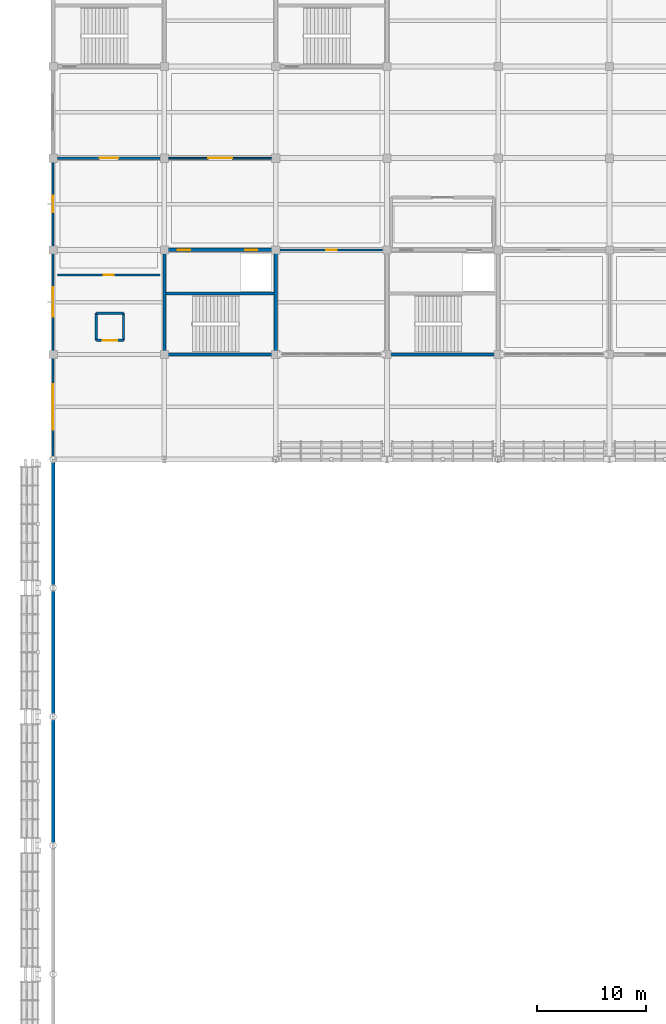
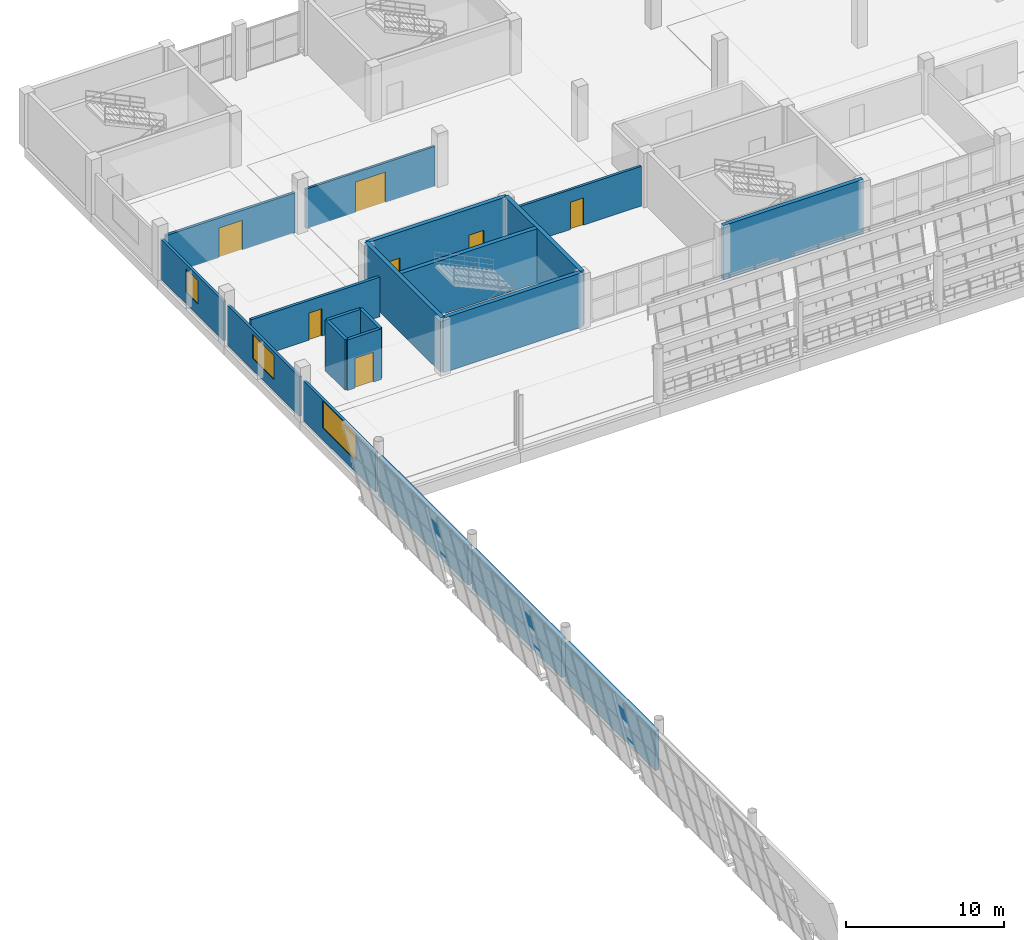
# One storey, part 126 of 157: 20 walls, 7 doors, 3 windows, 10 openings.
"""IFC4 building model written with IfcOpenShell, lengths in metres."""

from ifc_helpers import new_model, si_unit, direction, frame, frame_2d, origin, place, context, subcontext, project, spatial, rectangle, extrude, material, layer, layer_set, type_object, element, fill, save


model = new_model("IFC4")

# Units and contexts
model_context = context("Model", 3, precision=1e-05, world=origin(), true_north=direction((0.0, 1.0)))
body_context = subcontext(model_context, "Body", "Model", "MODEL_VIEW")
ifc_project = project(units=[si_unit("LENGTHUNIT", "METRE"), si_unit("AREAUNIT", "SQUARE_METRE"), si_unit("VOLUMEUNIT", "CUBIC_METRE"), si_unit("PLANEANGLEUNIT", "RADIAN"), si_unit("MASSUNIT", "GRAM", prefix="KILO")], contexts=[model_context])

# Site, building, storey
site_placement = place(None, origin())
site = spatial("IfcSite", under=ifc_project, at=site_placement, CompositionType="ELEMENT")
building_placement = place(site_placement, origin())
building = spatial("IfcBuilding", under=site, at=building_placement, Name="Brelvane Convention Centre", CompositionType="ELEMENT")
storey_placement = place(building_placement, frame((0.0, 0.0, 10.800048828125)))
storey = spatial("IfcBuildingStorey", under=building, at=storey_placement, Name="L02", CompositionType="ELEMENT", Elevation=10.800048828125)

# Wall, opening, window
ifc_material_1 = material(Name="Insulated Autoclaved Aerated Concrete Block Grade 1", Category="concrete")
ifc_layer_1 = layer(ifc_material_1, 0.18994140625)
ifc_layer_set_1 = layer_set([ifc_layer_1], Name="Insulated Autoclaved Aerated Concrete Block Grade 1")
wall_type_1 = type_object("IfcWallType", Name="Exterior Wall EW-06", PredefinedType="STANDARD", material=ifc_layer_set_1)
wall_1_placement = place(storey_placement, frame((0.0, 99.840087890625, 0.0), z_axis=(0.0, 0.0, 1.0), x_axis=(0.0, 1.0, 0.0)))
wall_1 = element("IfcWall", 1, at=wall_1_placement, inside=storey, type_object=wall_type_1, Name="Exterior Wall L02 V4W-L02-99", PredefinedType="STANDARD", context=body_context, shape_type="SweptSolid", body=[
    extrude(rectangle(XDim=9.119873046875, YDim=0.18994140625, at=frame_2d((4.56005859375, 0.0))), origin(), (0.0, 0.0, 1.0), 3.06005859375),
])
opening_1_placement = place(wall_1_placement, frame((2.4599609375, 0.0, 0.89990234375)))
opening_1 = element("IfcOpeningElement", 2, at=opening_1_placement, cuts=wall_1, Name="Opening WN-07", PredefinedType="OPENING", context=body_context, shape_type="SweptSolid", body=[
    extrude(rectangle(XDim=4.199951171875, YDim=2.10009765625, at=frame_2d((2.10009765625, 1.050048828125))), frame((0.0, 0.10498046875, 0.0), z_axis=(0.0, -1.0, 0.0), x_axis=(1.0, 0.0, 0.0)), (0.0, 0.0, 1.0), 0.2099609375),
])
ifc_material_2 = material(Name="Double Glazed Low-E Laminated Unit")
window_type_1 = type_object("IfcWindowType", Name="Window WN-07", PartitioningType="TRIPLE_PANEL_VERTICAL", PredefinedType="WINDOW", material=ifc_material_2)
window_1_placement = place(opening_1_placement, origin())
window_1 = element("IfcWindow", 3, at=window_1_placement, inside=storey, type_object=window_type_1, Name="Facade Window L02-V4W-L02-99-072", OverallHeight=2.10009765625, OverallWidth=4.199951171875, PartitioningType="TRIPLE_PANEL_VERTICAL", PredefinedType="WINDOW", context=body_context, shape_type="SweptSolid", body=[
    extrude(rectangle(XDim=4.199951171875, YDim=2.10009765625, at=frame_2d((2.10009765625, 1.050048828125))), frame((0.0, 0.030029296875, 0.0), z_axis=(0.0, -1.0, 0.0), x_axis=(1.0, 0.0, 0.0)), (0.0, 0.0, 1.0), 0.06005859375),
])
fill(opening_1, window_1)

wall_2_placement = place(storey_placement, frame((0.0, 109.43994140625, 0.0), z_axis=(0.0, 0.0, 1.0), x_axis=(0.0, 1.0, 0.0)))
wall_2 = element("IfcWall", 4, at=wall_2_placement, inside=storey, type_object=wall_type_1, Name="Exterior Wall L02 V4W-L02-109", PredefinedType="STANDARD", context=body_context, shape_type="SweptSolid", body=[
    extrude(rectangle(XDim=9.1201171875, YDim=0.18994140625, at=frame_2d((4.56005859375, 0.0))), origin(), (0.0, 0.0, 1.0), 3.06005859375),
])
opening_2_placement = place(wall_2_placement, frame((3.2099609375, 0.0, 0.89990234375)))
opening_2 = element("IfcOpeningElement", 5, at=opening_2_placement, cuts=wall_2, Name="Opening WN-06", PredefinedType="OPENING", context=body_context, shape_type="SweptSolid", body=[
    extrude(rectangle(XDim=2.699951171875, YDim=1.85009765625, at=frame_2d((1.35009765625, 0.925048828125))), frame((0.0, 0.10498046875, 0.0), z_axis=(0.0, -1.0, 0.0), x_axis=(1.0, 0.0, 0.0)), (0.0, 0.0, 1.0), 0.2099609375),
])
ifc_material_3 = material(Name="Double Glazed Low-E Laminated Unit")
window_type_2 = type_object("IfcWindowType", Name="Window WN-06", PartitioningType="TRIPLE_PANEL_VERTICAL", PredefinedType="WINDOW", material=ifc_material_3)
window_2_placement = place(opening_2_placement, origin())
window_2 = element("IfcWindow", 6, at=window_2_placement, inside=storey, type_object=window_type_2, Name="Facade Window L02-V4W-L02-109-073", OverallHeight=1.85009765625, OverallWidth=2.699951171875, PartitioningType="TRIPLE_PANEL_VERTICAL", PredefinedType="WINDOW", context=body_context, shape_type="SweptSolid", body=[
    extrude(rectangle(XDim=2.699951171875, YDim=1.85009765625, at=frame_2d((1.35009765625, 0.925048828125))), frame((0.0, 0.030029296875, 0.0), z_axis=(0.0, -1.0, 0.0), x_axis=(1.0, 0.0, 0.0)), (0.0, 0.0, 1.0), 0.06005859375),
])
fill(opening_2, window_2)

wall_3_placement = place(storey_placement, frame((0.0, 119.0400390625, 0.0), z_axis=(0.0, 0.0, 1.0), x_axis=(0.0, 1.0, 0.0)))
wall_3 = element("IfcWall", 7, at=wall_3_placement, inside=storey, type_object=wall_type_1, Name="Exterior Wall L02 V4W-L02-118", PredefinedType="STANDARD", context=body_context, shape_type="SweptSolid", body=[
    extrude(rectangle(XDim=7.919921875, YDim=0.18994140625, at=frame_2d((3.9599609375, 0.0))), origin(), (0.0, 0.0, 1.0), 3.06005859375),
])
opening_3_placement = place(wall_3_placement, frame((3.2099609375, 0.0, 0.89990234375)))
opening_3 = element("IfcOpeningElement", 8, at=opening_3_placement, cuts=wall_3, Name="Opening WN-08", PredefinedType="OPENING", context=body_context, shape_type="SweptSolid", body=[
    extrude(rectangle(XDim=1.5, YDim=1.800048828125, at=frame_2d((0.75, 0.89990234375))), frame((0.0, 0.10498046875, 0.0), z_axis=(0.0, -1.0, 0.0), x_axis=(1.0, 0.0, 0.0)), (0.0, 0.0, 1.0), 0.2099609375),
])
ifc_material_4 = material(Name="Double Glazed Low-E Laminated Unit")
window_type_3 = type_object("IfcWindowType", Name="Window WN-08", PartitioningType="SINGLE_PANEL", PredefinedType="WINDOW", material=ifc_material_4)
window_3_placement = place(opening_3_placement, origin())
window_3 = element("IfcWindow", 9, at=window_3_placement, inside=storey, type_object=window_type_3, Name="Facade Window L02-V4W-L02-118-074", OverallHeight=1.800048828125, OverallWidth=1.5, PartitioningType="SINGLE_PANEL", PredefinedType="WINDOW", context=body_context, shape_type="SweptSolid", body=[
    extrude(rectangle(XDim=1.5, YDim=1.800048828125, at=frame_2d((0.75, 0.89990234375))), frame((0.0, 0.030029296875, 0.0), z_axis=(0.0, -1.0, 0.0), x_axis=(1.0, 0.0, 0.0)), (0.0, 0.0, 1.0), 0.06005859375),
])
fill(opening_3, window_3)

# Walls
ifc_material_5 = material(Name="Concrete M40", Category="concrete")
ifc_layer_2 = layer(ifc_material_5, 0.2900390625)
ifc_layer_set_2 = layer_set([ifc_layer_2], Name="Concrete M40")
wall_type_2 = type_object("IfcWallType", Name="Exterior Wall EW-08", PredefinedType="SOLIDWALL", material=ifc_layer_set_2)
for number, where, z_axis, x_axis, name in (
    (10, (0.0, 64.43994140625, 0.0), (0.0, 0.0, 1.0), (0.0, 1.0, 0.0), "Exterior Wall L02 V1W-L02-4"),
    (11, (0.0, 76.239990234375, 0.0), (0.0, 0.0, 1.0), (0.0, 1.0, 0.0), "Exterior Wall L02 V1W-L02-5"),
    (12, (0.0, 88.0400390625, 0.0), (0.0, 0.0, 1.0), (0.0, 1.0, 0.0), "Exterior Wall L02 V1W-L02-6"),
):
    element("IfcWall", number, at=place(storey_placement, frame(where, z_axis=z_axis, x_axis=x_axis)), inside=storey, type_object=wall_type_2, Name=name, PredefinedType="SOLIDWALL", context=body_context, shape_type="SweptSolid", body=[
        extrude(rectangle(XDim=11.320068359375, YDim=0.2900390625, at=frame_2d((5.66015625, 0.0))), origin(), (0.0, 0.0, 1.0), 3.06005859375),
    ])

# Wall, opening, door
ifc_material_6 = material(Name="Fire-Rated Acoustic Gypsum Partition Board Grade A")
ifc_layer_3 = layer(ifc_material_6, 0.18505859375)
ifc_layer_set_3 = layer_set([ifc_layer_3], Name="Fire-Rated Acoustic Gypsum Partition Board Grade A")
wall_type_3 = type_object("IfcWallType", Name="Interior Wall IW-AC-185", PredefinedType="PARTITIONING", material=ifc_layer_set_3)
wall_4_placement = place(storey_placement, frame((20.800048828125, 118.800048828125, 0.0), z_axis=(0.0, 0.0, 1.0), x_axis=(1.0, 0.0, 0.0)))
wall_4 = element("IfcWall", 13, at=wall_4_placement, inside=storey, type_object=wall_type_3, Name="Interior Partition L02-MT302", PredefinedType="PARTITIONING", context=body_context, shape_type="SweptSolid", body=[
    extrude(rectangle(XDim=9.39990234375, YDim=0.18505859375, at=frame_2d((4.699951171875, 0.0))), origin(), (0.0, 0.0, 1.0), 3.06005859375),
])
opening_4_placement = place(wall_4_placement, frame((4.219970703125, 0.0, 0.0)))
opening_4 = element("IfcOpeningElement", 14, at=opening_4_placement, cuts=wall_4, Name="Opening DR-IN-03R", PredefinedType="OPENING", context=body_context, shape_type="SweptSolid", body=[
    extrude(rectangle(XDim=0.9599609375, YDim=2.10009765625, at=frame_2d((0.47998046875, 1.050048828125))), frame((0.0, 0.1025390625, 0.0), z_axis=(0.0, -1.0, 0.0), x_axis=(1.0, 0.0, 0.0)), (0.0, 0.0, 1.0), 0.205078125),
])
ifc_material_7 = material(Name="Solid-Core Fire-Rated Hardwood Leaf Grade 1", Category="wood")
door_type_1 = type_object("IfcDoorType", Name="Interior Door DR-IN-03R", OperationType="NOTDEFINED", PredefinedType="DOOR", material=ifc_material_7)
door_1_placement = place(opening_4_placement, origin())
door_1 = element("IfcDoor", 15, at=door_1_placement, inside=storey, type_object=door_type_1, Name="Interior Door L02-MT302 (DR-IN-03R)", OperationType="SINGLE_SWING_RIGHT", OverallHeight=2.10009765625, OverallWidth=0.9599609375, PredefinedType="DOOR", context=body_context, shape_type="SweptSolid", body=[
    extrude(rectangle(XDim=0.9599609375, YDim=2.10009765625, at=frame_2d((0.47998046875, 1.050048828125))), frame((0.0, 0.02490234375, 0.0), z_axis=(0.0, -1.0, 0.0), x_axis=(1.0, 0.0, 0.0)), (0.0, 0.0, 1.0), 0.050048828125),
])
fill(opening_4, door_1)

ifc_material_8 = material(Name="Fire-Rated Acoustic Gypsum Partition Board Grade A")
ifc_layer_4 = layer(ifc_material_8, 0.199951171875)
ifc_layer_set_4 = layer_set([ifc_layer_4], Name="Fire-Rated Acoustic Gypsum Partition Board Grade A")
wall_type_4 = type_object("IfcWallType", Name="Interior Wall IW-FR-200", PredefinedType="PARTITIONING", material=ifc_layer_set_4)
wall_5_placement = place(storey_placement, frame((0.39990234375, 116.5, 0.0), z_axis=(0.0, 0.0, 1.0), x_axis=(1.0, 0.0, 0.0)))
wall_5 = element("IfcWall", 16, at=wall_5_placement, inside=storey, type_object=wall_type_4, Name="Interior Partition L02-SM301", PredefinedType="PARTITIONING", context=body_context, shape_type="SweptSolid", body=[
    extrude(rectangle(XDim=9.400146484375, YDim=0.199951171875, at=frame_2d((4.7001953125, 0.0))), origin(), (0.0, 0.0, 1.0), 3.06005859375),
])
opening_5_placement = place(wall_5_placement, frame((4.239990234375, 0.0, 0.0)))
opening_5 = element("IfcOpeningElement", 17, at=opening_5_placement, cuts=wall_5, Name="Opening DR-IN-03L", PredefinedType="OPENING", context=body_context, shape_type="SweptSolid", body=[
    extrude(rectangle(XDim=0.919921875, YDim=2.10009765625, at=frame_2d((0.4599609375, 1.050048828125))), frame((0.0, 0.10986328125, 0.0), z_axis=(0.0, -1.0, 0.0), x_axis=(1.0, 0.0, 0.0)), (0.0, 0.0, 1.0), 0.219970703125),
])
ifc_material_9 = material(Name="Solid-Core Fire-Rated Hardwood Leaf Grade 1", Category="wood")
door_type_2 = type_object("IfcDoorType", Name="Interior Door DR-IN-03L", OperationType="NOTDEFINED", PredefinedType="DOOR", material=ifc_material_9)
door_2_placement = place(opening_5_placement, origin())
door_2 = element("IfcDoor", 18, at=door_2_placement, inside=storey, type_object=door_type_2, Name="Interior Door L02-SM301 (DR-IN-03L)", OperationType="SINGLE_SWING_LEFT", OverallHeight=2.10009765625, OverallWidth=0.919921875, PredefinedType="DOOR", context=body_context, shape_type="SweptSolid", body=[
    extrude(rectangle(XDim=0.919921875, YDim=2.10009765625, at=frame_2d((0.4599609375, 1.050048828125))), frame((0.0, 0.02490234375, 0.0), z_axis=(0.0, -1.0, 0.0), x_axis=(1.0, 0.0, 0.0)), (0.0, 0.0, 1.0), 0.050048828125),
])
fill(opening_5, door_2)

ifc_material_10 = material(Name="Concrete M40", Category="concrete")
ifc_layer_5 = layer(ifc_material_10, 0.219970703125)
ifc_layer_set_5 = layer_set([ifc_layer_5], Name="Concrete M40")
wall_type_5 = type_object("IfcWallType", Name="Interior Wall IW-FR-220", PredefinedType="PARTITIONING", material=ifc_layer_set_5)
wall_6_placement = place(storey_placement, frame((3.949951171875, 110.5, 0.0), z_axis=(0.0, 0.0, 1.0), x_axis=(1.0, 0.0, 0.0)))
wall_6 = element("IfcWall", 19, at=wall_6_placement, inside=storey, type_object=wall_type_5, Name="Lift LP-06 Shaft Wall S (L02)", PredefinedType="PARTITIONING", context=body_context, shape_type="SweptSolid", body=[
    extrude(rectangle(XDim=2.5, YDim=0.219970703125, at=frame_2d((1.25, 0.0))), origin(), (0.0, 0.0, 1.0), 3.89990234375),
])
opening_6_placement = place(wall_6_placement, frame((0.574951171875, 0.0, 0.0)))
opening_6 = element("IfcOpeningElement", 20, at=opening_6_placement, cuts=wall_6, Name="Opening LD-03", PredefinedType="OPENING", context=body_context, shape_type="SweptSolid", body=[
    extrude(rectangle(XDim=1.35009765625, YDim=2.300048828125, at=frame_2d((0.675048828125, 1.14990234375))), frame((0.0, 0.119873046875, 0.0), z_axis=(0.0, -1.0, 0.0), x_axis=(1.0, 0.0, 0.0)), (0.0, 0.0, 1.0), 0.239990234375),
])
ifc_material_11 = material(Name="Galvanised Hollow-Metal Fire Door Steel E250", Category="steel")
door_type_3 = type_object("IfcDoorType", Name="Interior Door LD-03", OperationType="NOTDEFINED", PredefinedType="DOOR", material=ifc_material_11)
door_3_placement = place(opening_6_placement, origin())
door_3 = element("IfcDoor", 21, at=door_3_placement, inside=storey, type_object=door_type_3, Name="Lift LP-06 Landing Door (L02)", OperationType="DOUBLE_DOOR_SLIDING", OverallHeight=2.300048828125, OverallWidth=1.35009765625, PredefinedType="DOOR", context=body_context, shape_type="SweptSolid", body=[
    extrude(rectangle(XDim=1.35009765625, YDim=2.300048828125, at=frame_2d((0.675048828125, 1.14990234375))), frame((0.0, 0.02490234375, 0.0), z_axis=(0.0, -1.0, 0.0), x_axis=(1.0, 0.0, 0.0)), (0.0, 0.0, 1.0), 0.050048828125),
])
fill(opening_6, door_3)

# Walls
for number, where, z_axis, x_axis, name in (
    (22, (3.949951171875, 113.0, 0.0), (0.0, 0.0, 1.0), (1.0, 0.0, 0.0), "Lift LP-06 Shaft Wall N (L02)"),
    (23, (3.949951171875, 110.5, 0.0), (0.0, 0.0, 1.0), (0.0, 1.0, 0.0), "Lift LP-06 Shaft Wall W (L02)"),
    (24, (6.449951171875, 110.5, 0.0), (0.0, 0.0, 1.0), (0.0, 1.0, 0.0), "Lift LP-06 Shaft Wall E (L02)"),
):
    element("IfcWall", number, at=place(storey_placement, frame(where, z_axis=z_axis, x_axis=x_axis)), inside=storey, type_object=wall_type_5, Name=name, PredefinedType="PARTITIONING", context=body_context, shape_type="SweptSolid", body=[
        extrude(rectangle(XDim=2.5, YDim=0.219970703125, at=frame_2d((1.25, 0.0))), origin(), (0.0, 0.0, 1.0), 3.89990234375),
    ])

# Wall, opening, door
ifc_material_12 = material(Name="Acoustic Operable Gypsum Composite Panel Board Class A")
ifc_layer_6 = layer(ifc_material_12, 0.169921875)
ifc_layer_set_6 = layer_set([ifc_layer_6], Name="Acoustic Operable Gypsum Composite Panel Board Class A")
wall_type_6 = type_object("IfcWallType", Name="Interior Wall IW-OP-170", PredefinedType="MOVABLE", material=ifc_layer_set_6)
wall_7_placement = place(storey_placement, frame((10.60009765625, 127.199951171875, 0.0), z_axis=(0.0, 0.0, 1.0), x_axis=(1.0, 0.0, 0.0)))
wall_7 = element("IfcWall", 25, at=wall_7_placement, inside=storey, type_object=wall_type_6, Name="Operable Wall L02-SEM-OP2", PredefinedType="MOVABLE", context=body_context, shape_type="SweptSolid", body=[
    extrude(rectangle(XDim=9.39990234375, YDim=0.169921875, at=frame_2d((4.699951171875, 0.0))), origin(), (0.0, 0.0, 1.0), 3.06005859375),
])
opening_7_placement = place(wall_7_placement, frame((3.60009765625, 0.0, 0.0)))
opening_7 = element("IfcOpeningElement", 26, at=opening_7_placement, cuts=wall_7, Name="Opening DR-IN-07", PredefinedType="OPENING", context=body_context, shape_type="SweptSolid", body=[
    extrude(rectangle(XDim=2.199951171875, YDim=2.35009765625, at=frame_2d((1.10009765625, 1.175048828125))), frame((0.0, 0.094970703125, 0.0), z_axis=(0.0, -1.0, 0.0), x_axis=(1.0, 0.0, 0.0)), (0.0, 0.0, 1.0), 0.18994140625),
])
ifc_material_13 = material(Name="Solid-Core Fire-Rated Hardwood Leaf Grade 1", Category="wood")
door_type_4 = type_object("IfcDoorType", Name="Interior Door DR-IN-07", OperationType="NOTDEFINED", PredefinedType="DOOR", material=ifc_material_13)
door_4_placement = place(opening_7_placement, origin())
door_4 = element("IfcDoor", 27, at=door_4_placement, inside=storey, type_object=door_type_4, Name="Interior Door L02-SEM-OP2 (DR-IN-07)", OperationType="DOUBLE_DOOR_SINGLE_SWING", OverallHeight=2.35009765625, OverallWidth=2.199951171875, PredefinedType="DOOR", context=body_context, shape_type="SweptSolid", body=[
    extrude(rectangle(XDim=2.199951171875, YDim=2.35009765625, at=frame_2d((1.10009765625, 1.175048828125))), frame((0.0, 0.02490234375, 0.0), z_axis=(0.0, -1.0, 0.0), x_axis=(1.0, 0.0, 0.0)), (0.0, 0.0, 1.0), 0.050048828125),
])
fill(opening_7, door_4)

ifc_material_14 = material(Name="Acoustic Operable Gypsum Composite Panel Board Class A")
ifc_layer_7 = layer(ifc_material_14, 0.195068359375)
ifc_layer_set_7 = layer_set([ifc_layer_7], Name="Acoustic Operable Gypsum Composite Panel Board Class A")
wall_type_7 = type_object("IfcWallType", Name="Interior Wall IW-OP-195", PredefinedType="MOVABLE", material=ifc_layer_set_7)
wall_8_placement = place(storey_placement, frame((0.39990234375, 127.199951171875, 0.0), z_axis=(0.0, 0.0, 1.0), x_axis=(1.0, 0.0, 0.0)))
wall_8 = element("IfcWall", 28, at=wall_8_placement, inside=storey, type_object=wall_type_7, Name="Operable Wall L02-SEM-OP1", PredefinedType="MOVABLE", context=body_context, shape_type="SweptSolid", body=[
    extrude(rectangle(XDim=9.400146484375, YDim=0.195068359375, at=frame_2d((4.7001953125, 0.0))), origin(), (0.0, 0.0, 1.0), 3.06005859375),
])
opening_8_placement = place(wall_8_placement, frame((3.85009765625, 0.0, 0.0)))
opening_8 = element("IfcOpeningElement", 29, at=opening_8_placement, cuts=wall_8, Name="Opening DR-IN-06", PredefinedType="OPENING", context=body_context, shape_type="SweptSolid", body=[
    extrude(rectangle(XDim=1.699951171875, YDim=2.300048828125, at=frame_2d((0.85009765625, 1.14990234375))), frame((0.0, 0.107421875, 0.0), z_axis=(0.0, -1.0, 0.0), x_axis=(1.0, 0.0, 0.0)), (0.0, 0.0, 1.0), 0.215087890625),
])
ifc_material_15 = material(Name="Solid-Core Fire-Rated Hardwood Leaf Grade 1", Category="wood")
door_type_5 = type_object("IfcDoorType", Name="Interior Door DR-IN-06", OperationType="NOTDEFINED", PredefinedType="DOOR", material=ifc_material_15)
door_5_placement = place(opening_8_placement, origin())
door_5 = element("IfcDoor", 30, at=door_5_placement, inside=storey, type_object=door_type_5, Name="Interior Door L02-SEM-OP1 (DR-IN-06)", OperationType="DOUBLE_DOOR_SINGLE_SWING", OverallHeight=2.300048828125, OverallWidth=1.699951171875, PredefinedType="DOOR", context=body_context, shape_type="SweptSolid", body=[
    extrude(rectangle(XDim=1.699951171875, YDim=2.300048828125, at=frame_2d((0.85009765625, 1.14990234375))), frame((0.0, 0.02490234375, 0.0), z_axis=(0.0, -1.0, 0.0), x_axis=(1.0, 0.0, 0.0)), (0.0, 0.0, 1.0), 0.050048828125),
])
fill(opening_8, door_5)

# Wall
ifc_material_16 = material(Name="Concrete M50", Category="concrete")
ifc_layer_8 = layer(ifc_material_16, 0.300048828125)
ifc_layer_set_8 = layer_set([ifc_layer_8], Name="Concrete M50")
wall_type_8 = type_object("IfcWallType", Name="Structural Wall WL-CORE-300", PredefinedType="SHEAR", material=ifc_layer_set_8)
wall_9_placement = place(storey_placement, frame((10.199951171875, 109.199951171875, 0.0), z_axis=(0.0, 0.0, 1.0), x_axis=(1.0, 0.0, 0.0)))
element("IfcWall", 31, at=wall_9_placement, inside=storey, type_object=wall_type_8, Name="Core C6 Shear Wall S (L02)", PredefinedType="SHEAR", context=body_context, shape_type="SweptSolid", body=[
    extrude(rectangle(XDim=10.199951171875, YDim=0.300048828125, at=frame_2d((5.10009765625, 0.0))), origin(), (0.0, 0.0, 1.0), 4.199951171875),
])

# Wall, openings, doors
wall_10_placement = place(storey_placement, frame((10.199951171875, 118.800048828125, 0.0), z_axis=(0.0, 0.0, 1.0), x_axis=(1.0, 0.0, 0.0)))
wall_10 = element("IfcWall", 32, at=wall_10_placement, inside=storey, type_object=wall_type_8, Name="Core C6 Shear Wall N (L02)", PredefinedType="SHEAR", context=body_context, shape_type="SweptSolid", body=[
    extrude(rectangle(XDim=10.199951171875, YDim=0.300048828125, at=frame_2d((5.10009765625, 0.0))), origin(), (0.0, 0.0, 1.0), 4.199951171875),
])
opening_9_placement = place(wall_10_placement, frame((1.199951171875, 0.0, 0.0)))
opening_9 = element("IfcOpeningElement", 33, at=opening_9_placement, cuts=wall_10, Name="Opening DR-IN-04L", PredefinedType="OPENING", context=body_context, shape_type="SweptSolid", body=[
    extrude(rectangle(XDim=1.159912109375, YDim=2.199951171875, at=frame_2d((0.580078125, 1.10009765625))), frame((0.0, 0.159912109375, 0.0), z_axis=(0.0, -1.0, 0.0), x_axis=(1.0, 0.0, 0.0)), (0.0, 0.0, 1.0), 0.320068359375),
])
opening_10_placement = place(wall_10_placement, frame((7.39990234375, 0.0, 0.0)))
opening_10 = element("IfcOpeningElement", 34, at=opening_10_placement, cuts=wall_10, Name="Opening LD-02", PredefinedType="OPENING", context=body_context, shape_type="SweptSolid", body=[
    extrude(rectangle(XDim=1.10009765625, YDim=2.199951171875, at=frame_2d((0.550048828125, 1.10009765625))), frame((0.0, 0.159912109375, 0.0), z_axis=(0.0, -1.0, 0.0), x_axis=(1.0, 0.0, 0.0)), (0.0, 0.0, 1.0), 0.320068359375),
])
ifc_material_17 = material(Name="Galvanised Hollow-Metal Fire Door Steel E250", Category="steel")
door_type_6 = type_object("IfcDoorType", Name="Interior Door DR-IN-04L", OperationType="NOTDEFINED", PredefinedType="DOOR", material=ifc_material_17)
door_6_placement = place(opening_9_placement, origin())
door_6 = element("IfcDoor", 35, at=door_6_placement, inside=storey, type_object=door_type_6, Name="Stair ST-06 Door (L02)", OperationType="SINGLE_SWING_LEFT", OverallHeight=2.199951171875, OverallWidth=1.159912109375, PredefinedType="DOOR", context=body_context, shape_type="SweptSolid", body=[
    extrude(rectangle(XDim=1.159912109375, YDim=2.199951171875, at=frame_2d((0.580078125, 1.10009765625))), frame((0.0, 0.02490234375, 0.0), z_axis=(0.0, -1.0, 0.0), x_axis=(1.0, 0.0, 0.0)), (0.0, 0.0, 1.0), 0.050048828125),
])
fill(opening_9, door_6)
ifc_material_18 = material(Name="Galvanised Hollow-Metal Fire Door Steel E250", Category="steel")
door_type_7 = type_object("IfcDoorType", Name="Interior Door LD-02", OperationType="NOTDEFINED", PredefinedType="DOOR", material=ifc_material_18)
door_7_placement = place(opening_10_placement, origin())
door_7 = element("IfcDoor", 36, at=door_7_placement, inside=storey, type_object=door_type_7, Name="Lift LP-03 Landing Door (L02)", OperationType="SLIDING_TO_RIGHT", OverallHeight=2.199951171875, OverallWidth=1.10009765625, PredefinedType="DOOR", context=body_context, shape_type="SweptSolid", body=[
    extrude(rectangle(XDim=1.10009765625, YDim=2.199951171875, at=frame_2d((0.550048828125, 1.10009765625))), frame((0.0, 0.02490234375, 0.0), z_axis=(0.0, -1.0, 0.0), x_axis=(1.0, 0.0, 0.0)), (0.0, 0.0, 1.0), 0.050048828125),
])
fill(opening_10, door_7)

# Walls
for number, where, z_axis, x_axis, name in (
    (37, (10.199951171875, 109.199951171875, 0.0), (0.0, 0.0, 1.0), (0.0, 1.0, 0.0), "Core C6 Shear Wall W (L02)"),
    (38, (20.39990234375, 109.199951171875, 0.0), (0.0, 0.0, 1.0), (0.0, 1.0, 0.0), "Core C6 Shear Wall E (L02)"),
):
    element("IfcWall", number, at=place(storey_placement, frame(where, z_axis=z_axis, x_axis=x_axis)), inside=storey, type_object=wall_type_8, Name=name, PredefinedType="SHEAR", context=body_context, shape_type="SweptSolid", body=[
        extrude(rectangle(XDim=9.60009765625, YDim=0.300048828125, at=frame_2d((4.800048828125, 0.0))), origin(), (0.0, 0.0, 1.0), 4.199951171875),
    ])
wall_11_placement = place(storey_placement, frame((30.60009765625, 109.199951171875, 0.0), z_axis=(0.0, 0.0, 1.0), x_axis=(1.0, 0.0, 0.0)))
element("IfcWall", 39, at=wall_11_placement, inside=storey, type_object=wall_type_8, Name="Core C7 Shear Wall S (L02)", PredefinedType="SHEAR", context=body_context, shape_type="SweptSolid", body=[
    extrude(rectangle(XDim=10.199951171875, YDim=0.300048828125, at=frame_2d((5.10009765625, 0.0))), origin(), (0.0, 0.0, 1.0), 4.199951171875),
])
wall_12_placement = place(storey_placement, frame((10.35009765625, 114.800048828125, 0.0), z_axis=(0.0, 0.0, 1.0), x_axis=(1.0, 0.0, 0.0)))
element("IfcWall", 40, at=wall_12_placement, inside=storey, type_object=wall_type_8, Name="Core C6 Shaft Divider Wall (L02)", PredefinedType="SHEAR", context=body_context, shape_type="SweptSolid", body=[
    extrude(rectangle(XDim=9.89990234375, YDim=0.300048828125, at=frame_2d((4.949951171875, 0.0))), origin(), (0.0, 0.0, 1.0), 4.199951171875),
])

save(model, "model.ifc")
